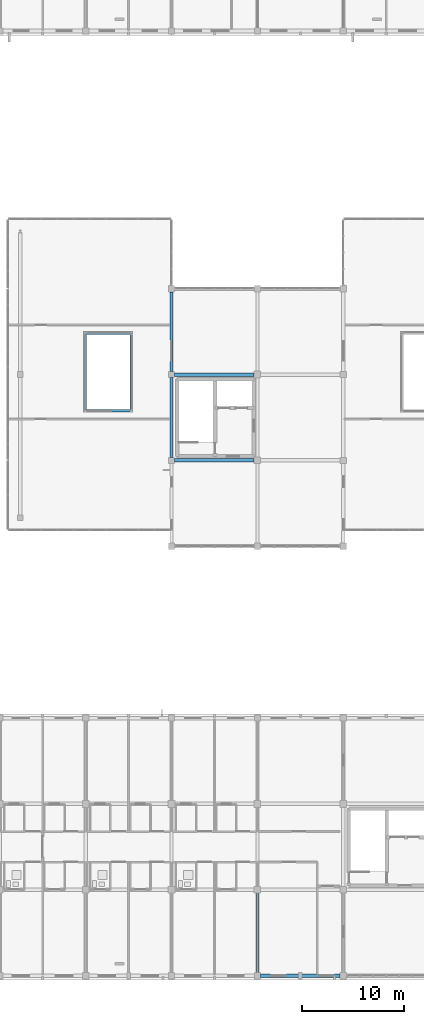
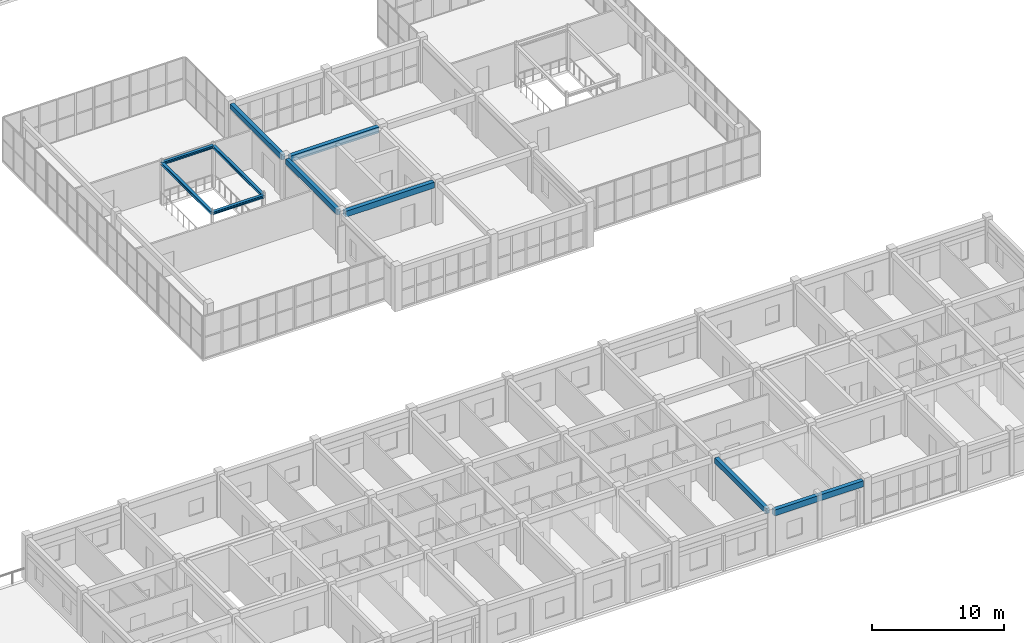
# One storey, part 20 of 81: 10 beams.
"""IFC4 building model written with IfcOpenShell, lengths in metres."""

from ifc_helpers import new_model, si_unit, direction, frame, origin, origin_2d, place, context, subcontext, project, spatial, rectangle, i_section, extrude, material, material_profile, profile_set, type_object, element, save


model = new_model("IFC4")

# Units and contexts
model_context = context("Model", 3, precision=1e-05, world=origin(), true_north=direction((0.0, 1.0)))
body_context = subcontext(model_context, "Body", "Model", "MODEL_VIEW")
ifc_project = project(units=[si_unit("LENGTHUNIT", "METRE"), si_unit("AREAUNIT", "SQUARE_METRE"), si_unit("VOLUMEUNIT", "CUBIC_METRE"), si_unit("PLANEANGLEUNIT", "RADIAN"), si_unit("MASSUNIT", "GRAM", prefix="KILO")], contexts=[model_context])

# Site, building, storey
site_placement = place(None, origin())
site = spatial("IfcSite", under=ifc_project, at=site_placement, CompositionType="ELEMENT")
building_placement = place(site_placement, origin())
building = spatial("IfcBuilding", under=site, at=building_placement, Name="Trelvath General Hospital", CompositionType="ELEMENT")
storey_placement = place(building_placement, frame((0.0, 0.0, 24.60009765625)))
storey = spatial("IfcBuildingStorey", under=building, at=storey_placement, Name="L06", CompositionType="ELEMENT", Elevation=24.60009765625)

# Beams
ifc_material_1 = material(Name="Concrete C35/45", Category="concrete")
ifc_material_profile_1 = material_profile(ifc_material_1, rectangle(XDim=0.320068359375, YDim=0.47998046875, at=origin_2d()), Name="RCB320x480")
ifc_profile_set_1 = profile_set([ifc_material_profile_1], Name="Concrete C35/45")
beam_type_1 = type_object("IfcBeamType", Name="Beam RC320x480", PredefinedType="BEAM", material=ifc_profile_set_1)
for number, where, z_axis, x_axis, name in (
    (1, (75.60009765625, 50.705078125, 3.679931640625), (0.0, 1.0, 0.0), (-1.0, 0.0, 0.0), "Grid Beam BY-609G"),
    (2, (75.60009765625, 59.10498046875, 3.679931640625), (0.0, 1.0, 0.0), (-1.0, 0.0, 0.0), "Grid Beam BY-609H"),
):
    element("IfcBeam", number, at=place(storey_placement, frame(where, z_axis=z_axis, x_axis=x_axis)), inside=storey, type_object=beam_type_1, Name=name, PredefinedType="BEAM", context=body_context, shape_type="SweptSolid", body=[
        extrude(rectangle(XDim=0.320068359375, YDim=0.47998046875, at=origin_2d()), origin(), (0.0, 0.0, 1.0), 7.7900390625),
    ])
beam_1_placement = place(storey_placement, frame((84.0, 0.304931640625, 3.679931640625), z_axis=(0.0, 1.0, 0.0), x_axis=(-1.0, 0.0, 0.0)))
element("IfcBeam", 3, at=beam_1_placement, inside=storey, type_object=beam_type_1, Name="Grid Beam BY-610A", PredefinedType="BEAM", context=body_context, shape_type="SweptSolid", body=[
    extrude(rectangle(XDim=0.320068359375, YDim=0.47998046875, at=origin_2d()), origin(), (0.0, 0.0, 1.0), 7.775146484375),
])
ifc_material_2 = material(Name="Concrete C35/45", Category="concrete")
ifc_material_profile_2 = material_profile(ifc_material_2, rectangle(XDim=0.35009765625, YDim=0.550048828125, at=origin_2d()), Name="RCB350x550")
ifc_profile_set_2 = profile_set([ifc_material_profile_2], Name="Concrete C35/45")
beam_type_2 = type_object("IfcBeamType", Name="Beam RC350x550", PredefinedType="BEAM", material=ifc_profile_set_2)
for number, where, z_axis, x_axis, name in (
    (4, (75.905029296875, 50.39990234375, 3.64501953125), (1.0, 0.0, 0.0), (0.0, 1.0, 0.0), "Grid Beam BX-609G"),
    (5, (75.905029296875, 58.800048828125, 3.64501953125), (1.0, 0.0, 0.0), (0.0, 1.0, 0.0), "Grid Beam BX-609H"),
):
    element("IfcBeam", number, at=place(storey_placement, frame(where, z_axis=z_axis, x_axis=x_axis)), inside=storey, type_object=beam_type_2, Name=name, PredefinedType="BEAM", context=body_context, shape_type="SweptSolid", body=[
        extrude(rectangle(XDim=0.35009765625, YDim=0.550048828125, at=origin_2d()), origin(), (0.0, 0.0, 1.0), 7.77490234375),
    ])
beam_2_placement = place(storey_placement, frame((84.304931640625, 0.0, 3.64501953125), z_axis=(1.0, 0.0, 0.0), x_axis=(0.0, 1.0, 0.0)))
element("IfcBeam", 6, at=beam_2_placement, inside=storey, type_object=beam_type_2, Name="Grid Beam BX-610A", PredefinedType="BEAM", context=body_context, shape_type="SweptSolid", body=[
    extrude(rectangle(XDim=0.35009765625, YDim=0.550048828125, at=origin_2d()), origin(), (0.0, 0.0, 1.0), 7.7900390625),
])
ifc_material_3 = material(Name="Steel S355", Category="steel")
ifc_material_profile_3 = material_profile(ifc_material_3, i_section(OverallWidth=0.260009765625, OverallDepth=0.25, WebThickness=0.007568359375, FlangeThickness=0.012451171875, at=origin_2d()), Name="HEA260")
ifc_profile_set_3 = profile_set([ifc_material_profile_3], Name="Steel S355")
beam_type_3 = type_object("IfcBeamType", Name="RingBeam HEA260", PredefinedType="BEAM", material=ifc_profile_set_3)
for number, where, z_axis, x_axis, name in (
    (7, (67.14990234375, 55.25, 3.81494140625), (1.0, 0.0, 0.0), (0.0, 1.0, 0.0), "Atrium Ring Beam CUBE-W S L06"),
    (8, (67.14990234375, 62.85009765625, 3.81494140625), (1.0, 0.0, 0.0), (0.0, 1.0, 0.0), "Atrium Ring Beam CUBE-W N L06"),
):
    element("IfcBeam", number, at=place(storey_placement, frame(where, z_axis=z_axis, x_axis=x_axis)), inside=storey, type_object=beam_type_3, Name=name, PredefinedType="BEAM", context=body_context, shape_type="SweptSolid", body=[
        extrude(i_section(OverallWidth=0.260009765625, OverallDepth=0.25, WebThickness=0.007568359375, FlangeThickness=0.012451171875, at=origin_2d()), origin(), (0.0, 0.0, 1.0), 4.5),
    ])
for number, where, z_axis, x_axis, name in (
    (9, (67.14990234375, 55.25, 3.81494140625), (0.0, 1.0, 0.0), (-1.0, 0.0, 0.0), "Atrium Ring Beam CUBE-W W L06"),
    (10, (71.64990234375, 55.25, 3.81494140625), (0.0, 1.0, 0.0), (-1.0, 0.0, 0.0), "Atrium Ring Beam CUBE-W E L06"),
):
    element("IfcBeam", number, at=place(storey_placement, frame(where, z_axis=z_axis, x_axis=x_axis)), inside=storey, type_object=beam_type_3, Name=name, PredefinedType="BEAM", context=body_context, shape_type="SweptSolid", body=[
        extrude(i_section(OverallWidth=0.260009765625, OverallDepth=0.25, WebThickness=0.007568359375, FlangeThickness=0.012451171875, at=origin_2d()), origin(), (0.0, 0.0, 1.0), 7.60009765625),
    ])

save(model, "model.ifc")
